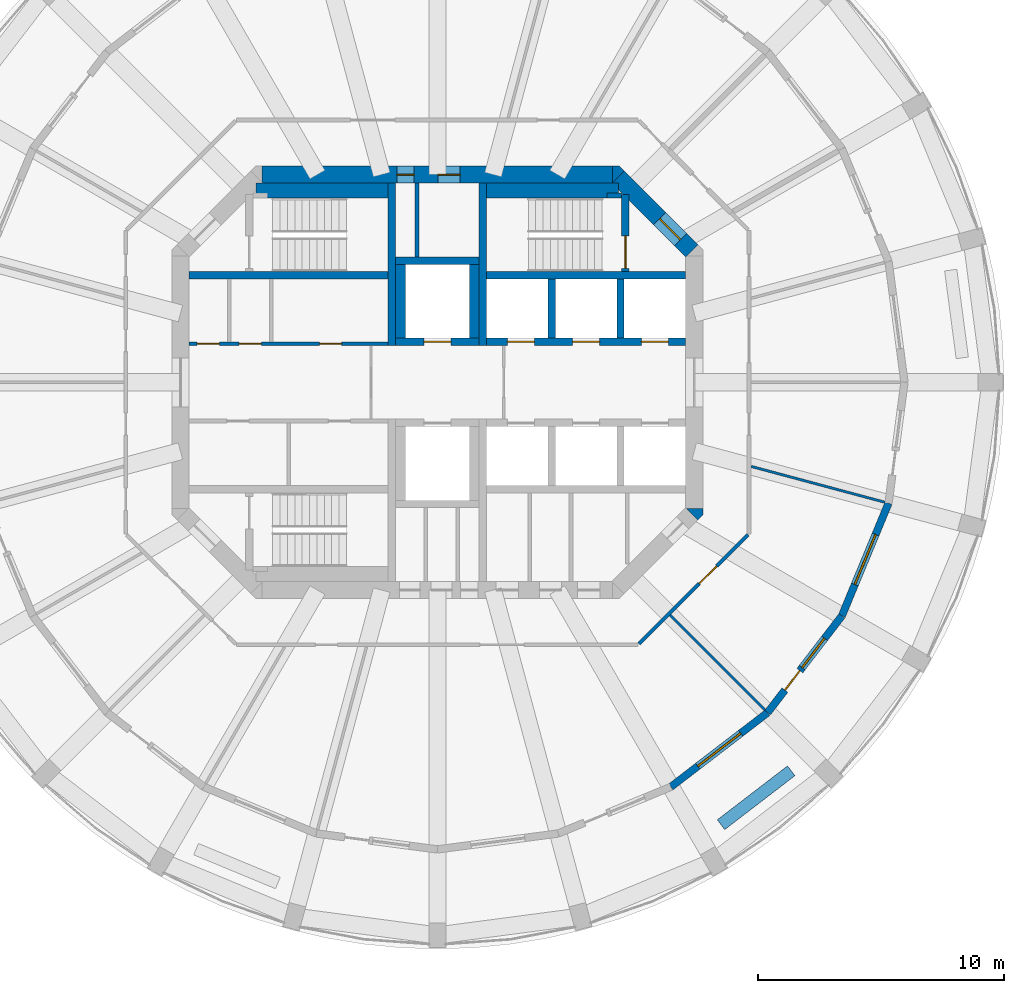
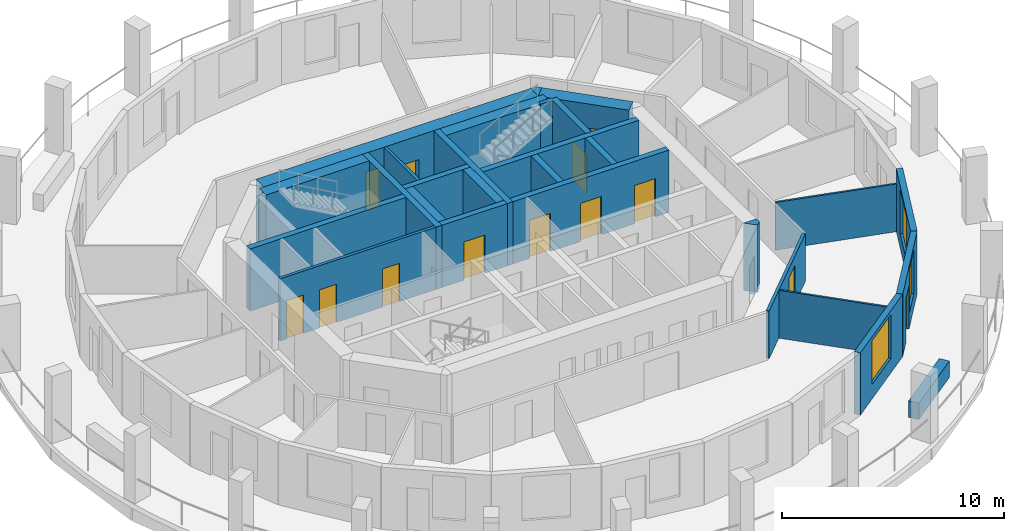
# One storey, part 5 of 9: 28 walls, 13 doors, 3 windows, 16 openings.
"""IFC4 building model written with IfcOpenShell, lengths in metres."""

from ifc_helpers import new_model, si_unit, direction, frame, frame_2d, origin, place, context, subcontext, project, spatial, polyline, rectangle, outline, extrude, material, layer, layer_set, type_object, element, fill, save


model = new_model("IFC4")

# Units and contexts
model_context = context("Model", 3, precision=1e-05, world=origin(), true_north=direction((0.0, 1.0)))
body_context = subcontext(model_context, "Body", "Model", "MODEL_VIEW")
ifc_project = project(units=[si_unit("LENGTHUNIT", "METRE"), si_unit("AREAUNIT", "SQUARE_METRE"), si_unit("VOLUMEUNIT", "CUBIC_METRE"), si_unit("PLANEANGLEUNIT", "RADIAN"), si_unit("MASSUNIT", "GRAM", prefix="KILO")], contexts=[model_context])

# Site, building, storey
site_placement = place(None, origin())
site = spatial("IfcSite", under=ifc_project, at=site_placement, CompositionType="ELEMENT")
building_placement = place(site_placement, origin())
building = spatial("IfcBuilding", under=site, at=building_placement, Name="Torre Triforio", CompositionType="ELEMENT")
storey_placement = place(building_placement, frame((0.0, 0.0, 169.0)))
storey = spatial("IfcBuildingStorey", under=building, at=storey_placement, Name="L38", CompositionType="ELEMENT", Elevation=169.0)

# Walls
ifc_material_1 = material(Name="Concrete C50", Category="concrete")
ifc_layer_1 = layer(ifc_material_1, 0.300048828125)
ifc_layer_set_1 = layer_set([ifc_layer_1], Name="Concrete C50")
wall_type_1 = type_object("IfcWallType", Name="Core wall 300 mm C50 EI 120", PredefinedType="SHEAR", material=ifc_layer_set_1)
for number, where, z_axis, x_axis, name in (
    (1, (-1.85009765625, 1.5, 0.0), (0.0, 0.0, 1.0), (0.0, 1.0, 0.0), "Core wall"),
    (2, (1.85009765625, 1.5, 0.0), (0.0, 0.0, 1.0), (0.0, 1.0, 0.0), "Core wall"),
):
    element("IfcWall", number, at=place(storey_placement, frame(where, z_axis=z_axis, x_axis=x_axis)), inside=storey, type_object=wall_type_1, Name=name, PredefinedType="SHEAR", context=body_context, shape_type="SweptSolid", body=[
        extrude(rectangle(XDim=6.60009765625, YDim=0.300048828125, at=frame_2d((3.300048828125, 0.0))), origin(), (0.0, 0.0, 1.0), 3.419921875),
    ])

# Wall, openings, doors
ifc_layer_2 = layer(ifc_material_1, 0.699951171875)
ifc_layer_set_2 = layer_set([ifc_layer_2], Name="Concrete C50")
wall_type_2 = type_object("IfcWallType", Name="Core wall 700 mm C50 EI 120", PredefinedType="SHEAR", material=ifc_layer_set_2)
wall_1_placement = place(storey_placement, frame((-7.1298828125, 8.449951171875, -0.280029296875), z_axis=(0.0, 0.0, 1.0), x_axis=(1.0, 0.0, 0.0)))
wall_1 = element("IfcWall", 3, at=wall_1_placement, inside=storey, type_object=wall_type_2, Name="Core wall", PredefinedType="SHEAR", context=body_context, shape_type="SweptSolid", body=[
    extrude(rectangle(XDim=14.259765625, YDim=0.699951171875, at=frame_2d((7.1298828125, 0.0))), origin(), (0.0, 0.0, 1.0), 3.699951171875),
])
opening_1_placement = place(wall_1_placement, frame((5.47998046875, 0.0, 0.280029296875)))
opening_1 = element("IfcOpeningElement", 4, at=opening_1_placement, cuts=wall_1, Name="Opening RISER-N", PredefinedType="OPENING", context=body_context, shape_type="SweptSolid", body=[
    extrude(rectangle(XDim=0.699951171875, YDim=2.10009765625, at=frame_2d((0.35009765625, 1.050048828125))), frame((0.0, 0.35986328125, 0.0), z_axis=(0.0, -1.0, 0.0), x_axis=(1.0, 0.0, 0.0)), (0.0, 0.0, 1.0), 0.719970703125),
])
opening_2_placement = place(wall_1_placement, frame((7.155029296875, 0.0, 0.280029296875)))
opening_2 = element("IfcOpeningElement", 5, at=opening_2_placement, cuts=wall_1, Name="Opening NE-01", PredefinedType="OPENING", context=body_context, shape_type="SweptSolid", body=[
    extrude(rectangle(XDim=0.89990234375, YDim=2.10009765625, at=frame_2d((0.449951171875, 1.050048828125))), frame((0.0, 0.35986328125, 0.0), z_axis=(0.0, -1.0, 0.0), x_axis=(1.0, 0.0, 0.0)), (0.0, 0.0, 1.0), 0.719970703125),
])
ifc_material_2 = material(Name="Hollow metal fire door leaf")
door_type_1 = type_object("IfcDoorType", Name="Riser door 700 x 2100 EI 60", OperationType="NOTDEFINED", PredefinedType="DOOR", material=ifc_material_2)
door_1_placement = place(opening_1_placement, origin())
door_1 = element("IfcDoor", 6, at=door_1_placement, inside=storey, type_object=door_type_1, Name="Core door RISER-N", OperationType="SINGLE_SWING_LEFT", OverallHeight=2.10009765625, OverallWidth=0.699951171875, PredefinedType="DOOR", context=body_context, shape_type="SweptSolid", body=[
    extrude(rectangle(XDim=0.699951171875, YDim=2.10009765625, at=frame_2d((0.35009765625, 1.050048828125))), frame((0.0, 0.02490234375, 0.0), z_axis=(0.0, -1.0, 0.0), x_axis=(1.0, 0.0, 0.0)), (0.0, 0.0, 1.0), 0.050048828125),
])
fill(opening_1, door_1)
door_type_2 = type_object("IfcDoorType", Name="Room door 900 x 2100 EI 60", OperationType="NOTDEFINED", PredefinedType="DOOR", material=ifc_material_2)
door_2_placement = place(opening_2_placement, origin())
door_2 = element("IfcDoor", 7, at=door_2_placement, inside=storey, type_object=door_type_2, Name="Core door NE-01", OperationType="SINGLE_SWING_RIGHT", OverallHeight=2.10009765625, OverallWidth=0.89990234375, PredefinedType="DOOR", context=body_context, shape_type="SweptSolid", body=[
    extrude(rectangle(XDim=0.89990234375, YDim=2.10009765625, at=frame_2d((0.449951171875, 1.050048828125))), frame((0.0, 0.02490234375, 0.0), z_axis=(0.0, -1.0, 0.0), x_axis=(1.0, 0.0, 0.0)), (0.0, 0.0, 1.0), 0.050048828125),
])
fill(opening_2, door_2)

# Wall, opening, door
wall_2_placement = place(storey_placement, frame((7.347412109375, 8.347412109375, -0.280029296875), z_axis=(0.0, 0.0, 1.0), x_axis=(0.707106781187, -0.707106781187, 0.0)))
wall_2 = element("IfcWall", 8, at=wall_2_placement, inside=storey, type_object=wall_type_2, Name="Core wall", PredefinedType="SHEAR", context=body_context, shape_type="SweptSolid", body=[
    extrude(rectangle(XDim=4.24267578125, YDim=0.699951171875, at=frame_2d((2.121337890625, 0.0))), origin(), (0.0, 0.0, 1.0), 3.699951171875),
])
opening_3_placement = place(wall_2_placement, frame((2.392578125, 0.0, 0.280029296875)))
opening_3 = element("IfcOpeningElement", 9, at=opening_3_placement, cuts=wall_2, Name="Opening ST2-EXIT", PredefinedType="OPENING", context=body_context, shape_type="SweptSolid", body=[
    extrude(rectangle(XDim=1.199951171875, YDim=2.10009765625, at=frame_2d((0.60009765625, 1.050048828125))), frame((0.0, 0.35986328125, 0.0), z_axis=(0.0, -1.0, 0.0), x_axis=(1.0, 0.0, 0.0)), (0.0, 0.0, 1.0), 0.719970703125),
])
door_type_3 = type_object("IfcDoorType", Name="Stair lobby door 1200 x 2100 EI 60", OperationType="NOTDEFINED", PredefinedType="DOOR", material=ifc_material_2)
door_3_placement = place(opening_3_placement, origin())
door_3 = element("IfcDoor", 10, at=door_3_placement, inside=storey, type_object=door_type_3, Name="Core door ST2-EXIT", OperationType="SINGLE_SWING_RIGHT", OverallHeight=2.10009765625, OverallWidth=1.199951171875, PredefinedType="DOOR", context=body_context, shape_type="SweptSolid", body=[
    extrude(rectangle(XDim=1.199951171875, YDim=2.10009765625, at=frame_2d((0.60009765625, 1.050048828125))), frame((0.0, 0.02490234375, 0.0), z_axis=(0.0, -1.0, 0.0), x_axis=(1.0, 0.0, 0.0)), (0.0, 0.0, 1.0), 0.050048828125),
])
fill(opening_3, door_3)

# Walls
wall_3_placement = place(storey_placement, frame((0.0, 0.0, -0.280029296875)))
element("IfcWall", 11, at=wall_3_placement, inside=storey, type_object=wall_type_2, Name="Core wall", PredefinedType="SHEAR", context=body_context, shape_type="SweptSolid", body=[
    extrude(outline(polyline([(10.800048828125, -5.389892578125), (10.594970703125, -5.594970703125), (10.594970703125, -5.594970703125), (10.594970703125, -5.594970703125), (10.1298828125, -5.1298828125), (10.800048828125, -5.1298828125), (10.800048828125, -5.1298828125), (10.800048828125, -5.389892578125)])), origin(), (0.0, 0.0, 1.0), 3.699951171875),
])
wall_4_placement = place(storey_placement, frame((0.0, 0.0, -0.280029296875)))
element("IfcWall", 12, at=wall_4_placement, inside=storey, type_object=wall_type_2, Name="Core wall", PredefinedType="SHEAR", context=body_context, shape_type="SweptSolid", body=[
    extrude(outline(polyline([(7.389892578125, 8.800048828125), (7.594970703125, 8.594970703125), (7.594970703125, 8.594970703125), (7.594970703125, 8.594970703125), (7.1298828125, 8.1298828125), (7.1298828125, 8.800048828125), (7.1298828125, 8.800048828125), (7.389892578125, 8.800048828125)])), origin(), (0.0, 0.0, 1.0), 3.699951171875),
])

# Wall, opening, door
ifc_material_3 = material(Name="Plasterboard on metal studs")
ifc_layer_3 = layer(ifc_material_3, 0.14990234375)
ifc_layer_set_3 = layer_set([ifc_layer_3], Name="Plasterboard on metal studs")
wall_type_3 = type_object("IfcWallType", Name="Corridor and tenancy wall 150 mm EI 60", PredefinedType="PARTITIONING", material=ifc_layer_set_3)
wall_5_placement = place(storey_placement, frame((12.637939453125, -6.20361328125, 0.0), z_axis=(0.0, 0.0, 1.0), x_axis=(-0.707106781187, -0.707106781187, 0.0)))
wall_5 = element("IfcWall", 13, at=wall_5_placement, inside=storey, type_object=wall_type_3, Name="Partition 1", PredefinedType="PARTITIONING", context=body_context, shape_type="SweptSolid", body=[
    extrude(rectangle(XDim=6.27099609375, YDim=0.14990234375, at=frame_2d((3.135498046875, 0.0))), origin(), (0.0, 0.0, 1.0), 2.6201171875),
])
opening_4_placement = place(wall_5_placement, frame((1.7998046875, 0.0, 0.0)))
opening_4 = element("IfcOpeningElement", 14, at=opening_4_placement, cuts=wall_5, Name="Opening O2-10", PredefinedType="OPENING", context=body_context, shape_type="SweptSolid", body=[
    extrude(rectangle(XDim=1.0, YDim=2.10009765625, at=frame_2d((0.5, 1.050048828125))), frame((0.0, 0.0849609375, 0.0), z_axis=(0.0, -1.0, 0.0), x_axis=(1.0, 0.0, 0.0)), (0.0, 0.0, 1.0), 0.169921875),
])
ifc_material_4 = material(Name="Timber", Category="wood")
door_type_4 = type_object("IfcDoorType", Name="Door 1000 x 2100 single leaf EI 30", OperationType="NOTDEFINED", PredefinedType="DOOR", material=ifc_material_4)
door_4_placement = place(opening_4_placement, origin())
door_4 = element("IfcDoor", 15, at=door_4_placement, inside=storey, type_object=door_type_4, Name="Door O2-10", OperationType="SINGLE_SWING_RIGHT", OverallHeight=2.10009765625, OverallWidth=1.0, PredefinedType="DOOR", context=body_context, shape_type="SweptSolid", body=[
    extrude(rectangle(XDim=1.0, YDim=2.10009765625, at=frame_2d((0.5, 1.050048828125))), frame((0.0, 0.02490234375, 0.0), z_axis=(0.0, -1.0, 0.0), x_axis=(1.0, 0.0, 0.0)), (0.0, 0.0, 1.0), 0.050048828125),
])
fill(opening_4, door_4)

# Walls
ifc_layer_4 = layer(ifc_material_3, 0.10009765625)
ifc_layer_set_4 = layer_set([ifc_layer_4], Name="Plasterboard on metal studs")
wall_type_4 = type_object("IfcWallType", Name="Partition 100 mm board on metal studs", PredefinedType="PARTITIONING", material=ifc_layer_set_4)
wall_6_placement = place(storey_placement, frame((9.473876953125, -9.473876953125, 0.0), z_axis=(0.0, 0.0, 1.0), x_axis=(0.707106781187, -0.707106781187, 0.0)))
element("IfcWall", 16, at=wall_6_placement, inside=storey, type_object=wall_type_4, Name="Partition 25", PredefinedType="PARTITIONING", context=body_context, shape_type="SweptSolid", body=[
    extrude(rectangle(XDim=5.438720703125, YDim=0.10009765625, at=frame_2d((2.71923828125, 0.0))), origin(), (0.0, 0.0, 1.0), 2.6201171875),
])
wall_7_placement = place(storey_placement, frame((12.764404296875, -3.420166015625, 0.0), z_axis=(0.0, 0.0, 1.0), x_axis=(0.965925759926, -0.258819292773, 0.0)))
element("IfcWall", 17, at=wall_7_placement, inside=storey, type_object=wall_type_4, Name="Partition 26", PredefinedType="PARTITIONING", context=body_context, shape_type="SweptSolid", body=[
    extrude(rectangle(XDim=5.6220703125, YDim=0.10009765625, at=frame_2d((2.81103515625, 0.0))), origin(), (0.0, 0.0, 1.0), 2.6201171875),
])
ifc_material_5 = material(Name="Block and board partition")
ifc_layer_5 = layer(ifc_material_5, 0.14990234375)
ifc_layer_set_5 = layer_set([ifc_layer_5], Name="Block and board partition")
wall_type_5 = type_object("IfcWallType", Name="Partition 150 mm EI 120", PredefinedType="PARTITIONING", material=ifc_layer_set_5)
wall_8_placement = place(storey_placement, frame((-0.824951171875, 5.10009765625, 0.0), z_axis=(0.0, 0.0, 1.0), x_axis=(0.0, 1.0, 0.0)))
element("IfcWall", 18, at=wall_8_placement, inside=storey, type_object=wall_type_5, Name="Partition", PredefinedType="PARTITIONING", context=body_context, shape_type="SweptSolid", body=[
    extrude(rectangle(XDim=3.0, YDim=0.14990234375, at=frame_2d((1.5, 0.0))), origin(), (0.0, 0.0, 1.0), 3.419921875),
])

# Wall, openings, doors
wall_9_placement = place(storey_placement, frame((-10.10009765625, 1.574951171875, 0.0), z_axis=(0.0, 0.0, 1.0), x_axis=(1.0, 0.0, 0.0)))
wall_9 = element("IfcWall", 19, at=wall_9_placement, inside=storey, type_object=wall_type_5, Name="Partition", PredefinedType="PARTITIONING", context=body_context, shape_type="SweptSolid", body=[
    extrude(rectangle(XDim=8.10009765625, YDim=0.14990234375, at=frame_2d((4.050048828125, 0.0))), origin(), (0.0, 0.0, 1.0), 3.419921875),
])
opening_5_placement = place(wall_9_placement, frame((0.330078125, 0.0, 0.0)))
opening_5 = element("IfcOpeningElement", 20, at=opening_5_placement, cuts=wall_9, Name="Opening FN-01", PredefinedType="OPENING", context=body_context, shape_type="SweptSolid", body=[
    extrude(rectangle(XDim=0.89990234375, YDim=2.10009765625, at=frame_2d((0.449951171875, 1.050048828125))), frame((0.0, 0.0849609375, 0.0), z_axis=(0.0, -1.0, 0.0), x_axis=(1.0, 0.0, 0.0)), (0.0, 0.0, 1.0), 0.169921875),
])
opening_6_placement = place(wall_9_placement, frame((2.0400390625, 0.0, 0.0)))
opening_6 = element("IfcOpeningElement", 21, at=opening_6_placement, cuts=wall_9, Name="Opening FN-02", PredefinedType="OPENING", context=body_context, shape_type="SweptSolid", body=[
    extrude(rectangle(XDim=0.89990234375, YDim=2.10009765625, at=frame_2d((0.449951171875, 1.050048828125))), frame((0.0, 0.0849609375, 0.0), z_axis=(0.0, -1.0, 0.0), x_axis=(1.0, 0.0, 0.0)), (0.0, 0.0, 1.0), 0.169921875),
])
opening_7_placement = place(wall_9_placement, frame((5.31005859375, 0.0, 0.0)))
opening_7 = element("IfcOpeningElement", 22, at=opening_7_placement, cuts=wall_9, Name="Opening FN-03", PredefinedType="OPENING", context=body_context, shape_type="SweptSolid", body=[
    extrude(rectangle(XDim=0.89990234375, YDim=2.10009765625, at=frame_2d((0.449951171875, 1.050048828125))), frame((0.0, 0.0849609375, 0.0), z_axis=(0.0, -1.0, 0.0), x_axis=(1.0, 0.0, 0.0)), (0.0, 0.0, 1.0), 0.169921875),
])
door_5_placement = place(opening_5_placement, origin())
door_5 = element("IfcDoor", 23, at=door_5_placement, inside=storey, type_object=door_type_2, Name="Core door FN-01", OperationType="SINGLE_SWING_RIGHT", OverallHeight=2.10009765625, OverallWidth=0.89990234375, PredefinedType="DOOR", context=body_context, shape_type="SweptSolid", body=[
    extrude(rectangle(XDim=0.89990234375, YDim=2.10009765625, at=frame_2d((0.449951171875, 1.050048828125))), frame((0.0, 0.02490234375, 0.0), z_axis=(0.0, -1.0, 0.0), x_axis=(1.0, 0.0, 0.0)), (0.0, 0.0, 1.0), 0.050048828125),
])
fill(opening_5, door_5)
door_6_placement = place(opening_6_placement, origin())
door_6 = element("IfcDoor", 24, at=door_6_placement, inside=storey, type_object=door_type_2, Name="Core door FN-02", OperationType="SINGLE_SWING_RIGHT", OverallHeight=2.10009765625, OverallWidth=0.89990234375, PredefinedType="DOOR", context=body_context, shape_type="SweptSolid", body=[
    extrude(rectangle(XDim=0.89990234375, YDim=2.10009765625, at=frame_2d((0.449951171875, 1.050048828125))), frame((0.0, 0.02490234375, 0.0), z_axis=(0.0, -1.0, 0.0), x_axis=(1.0, 0.0, 0.0)), (0.0, 0.0, 1.0), 0.050048828125),
])
fill(opening_6, door_6)
door_7_placement = place(opening_7_placement, origin())
door_7 = element("IfcDoor", 25, at=door_7_placement, inside=storey, type_object=door_type_2, Name="Core door FN-03", OperationType="SINGLE_SWING_RIGHT", OverallHeight=2.10009765625, OverallWidth=0.89990234375, PredefinedType="DOOR", context=body_context, shape_type="SweptSolid", body=[
    extrude(rectangle(XDim=0.89990234375, YDim=2.10009765625, at=frame_2d((0.449951171875, 1.050048828125))), frame((0.0, 0.02490234375, 0.0), z_axis=(0.0, -1.0, 0.0), x_axis=(1.0, 0.0, 0.0)), (0.0, 0.0, 1.0), 0.050048828125),
])
fill(opening_7, door_7)

# Walls
ifc_material_6 = material(Name="Limestone cladding", Category="masonry")
ifc_layer_6 = layer(ifc_material_6, 0.10009765625)
ifc_material_7 = material(Name="Concrete C40", Category="concrete")
ifc_layer_7 = layer(ifc_material_7, 0.39990234375)
ifc_layer_set_6 = layer_set([ifc_layer_6, ifc_layer_7], Name="Limestone cladding / Concrete C40")
wall_type_6 = type_object("IfcWallType", Name="Planter wall 500", PredefinedType="PARAPET", material=ifc_layer_set_6)
wall_10_placement = place(storey_placement, frame((11.53857421875, -17.994140625, 0.0), z_axis=(0.0, 0.0, 1.0), x_axis=(0.793384730612, 0.608720518162, 0.0)))
element("IfcWall", 26, at=wall_10_placement, inside=storey, type_object=wall_type_6, Name="Planter L38 bay 21", PredefinedType="PARAPET", context=body_context, shape_type="SweptSolid", body=[
    extrude(rectangle(XDim=3.60009765625, YDim=0.5, at=frame_2d((1.800048828125, 0.0))), origin(), (0.0, 0.0, 1.0), 0.89990234375),
])
ifc_layer_8 = layer(ifc_material_1, 0.300048828125)
ifc_layer_set_7 = layer_set([ifc_layer_8], Name="Concrete C50")
wall_type_7 = type_object("IfcWallType", Name="Shaft wall 300 mm C50 EI 120", PredefinedType="SOLIDWALL", material=ifc_layer_set_7)
for number, where, z_axis, x_axis, name in (
    (27, (-10.10009765625, 4.35009765625, 0.0), (0.0, 0.0, 1.0), (1.0, 0.0, 0.0), "Shaft wall"),
    (28, (2.0, 4.35009765625, 0.0), (0.0, 0.0, 1.0), (1.0, 0.0, 0.0), "Shaft wall"),
):
    element("IfcWall", number, at=place(storey_placement, frame(where, z_axis=z_axis, x_axis=x_axis)), inside=storey, type_object=wall_type_7, Name=name, PredefinedType="SOLIDWALL", context=body_context, shape_type="SweptSolid", body=[
        extrude(rectangle(XDim=8.10009765625, YDim=0.300048828125, at=frame_2d((4.050048828125, 0.0))), origin(), (0.0, 0.0, 1.0), 3.419921875),
    ])

# Wall, openings, doors
wall_11_placement = place(storey_placement, frame((2.0, 1.64990234375, 0.0), z_axis=(0.0, 0.0, 1.0), x_axis=(1.0, 0.0, 0.0)))
wall_11 = element("IfcWall", 29, at=wall_11_placement, inside=storey, type_object=wall_type_7, Name="Shaft wall", PredefinedType="SOLIDWALL", context=body_context, shape_type="SweptSolid", body=[
    extrude(rectangle(XDim=8.10009765625, YDim=0.300048828125, at=frame_2d((4.050048828125, 0.0))), origin(), (0.0, 0.0, 1.0), 3.419921875),
])
opening_8_placement = place(wall_11_placement, frame((0.85009765625, 0.0, 0.0)))
opening_8 = element("IfcOpeningElement", 30, at=opening_8_placement, cuts=wall_11, Name="Opening LD", PredefinedType="OPENING", context=body_context, shape_type="SweptSolid", body=[
    extrude(rectangle(XDim=1.10009765625, YDim=2.10009765625, at=frame_2d((0.550048828125, 1.050048828125))), frame((0.0, 0.159912109375, 0.0), z_axis=(0.0, -1.0, 0.0), x_axis=(1.0, 0.0, 0.0)), (0.0, 0.0, 1.0), 0.320068359375),
])
opening_9_placement = place(wall_11_placement, frame((3.5, 0.0, 0.0)))
opening_9 = element("IfcOpeningElement", 31, at=opening_9_placement, cuts=wall_11, Name="Opening LD", PredefinedType="OPENING", context=body_context, shape_type="SweptSolid", body=[
    extrude(rectangle(XDim=1.10009765625, YDim=2.10009765625, at=frame_2d((0.550048828125, 1.050048828125))), frame((0.0, 0.159912109375, 0.0), z_axis=(0.0, -1.0, 0.0), x_axis=(1.0, 0.0, 0.0)), (0.0, 0.0, 1.0), 0.320068359375),
])
opening_10_placement = place(wall_11_placement, frame((6.300048828125, 0.0, 0.0)))
opening_10 = element("IfcOpeningElement", 32, at=opening_10_placement, cuts=wall_11, Name="Opening LD", PredefinedType="OPENING", context=body_context, shape_type="SweptSolid", body=[
    extrude(rectangle(XDim=1.10009765625, YDim=2.10009765625, at=frame_2d((0.550048828125, 1.050048828125))), frame((0.0, 0.159912109375, 0.0), z_axis=(0.0, -1.0, 0.0), x_axis=(1.0, 0.0, 0.0)), (0.0, 0.0, 1.0), 0.320068359375),
])
door_type_5 = type_object("IfcDoorType", Name="Landing door 1100 x 2100 EI 60", OperationType="DOUBLE_DOOR_SLIDING", PredefinedType="DOOR", material=ifc_material_2)
door_8_placement = place(opening_8_placement, origin())
door_8 = element("IfcDoor", 33, at=door_8_placement, inside=storey, type_object=door_type_5, Name="Landing door HR1", OperationType="DOUBLE_DOOR_SLIDING", OverallHeight=2.10009765625, OverallWidth=1.10009765625, PredefinedType="DOOR", context=body_context, shape_type="SweptSolid", body=[
    extrude(rectangle(XDim=1.10009765625, YDim=2.10009765625, at=frame_2d((0.550048828125, 1.050048828125))), frame((0.0, 0.02490234375, 0.0), z_axis=(0.0, -1.0, 0.0), x_axis=(1.0, 0.0, 0.0)), (0.0, 0.0, 1.0), 0.050048828125),
])
fill(opening_8, door_8)
door_9_placement = place(opening_9_placement, origin())
door_9 = element("IfcDoor", 34, at=door_9_placement, inside=storey, type_object=door_type_5, Name="Landing door HR2", OperationType="DOUBLE_DOOR_SLIDING", OverallHeight=2.10009765625, OverallWidth=1.10009765625, PredefinedType="DOOR", context=body_context, shape_type="SweptSolid", body=[
    extrude(rectangle(XDim=1.10009765625, YDim=2.10009765625, at=frame_2d((0.550048828125, 1.050048828125))), frame((0.0, 0.02490234375, 0.0), z_axis=(0.0, -1.0, 0.0), x_axis=(1.0, 0.0, 0.0)), (0.0, 0.0, 1.0), 0.050048828125),
])
fill(opening_9, door_9)
door_10_placement = place(opening_10_placement, origin())
door_10 = element("IfcDoor", 35, at=door_10_placement, inside=storey, type_object=door_type_5, Name="Landing door HR3", OperationType="DOUBLE_DOOR_SLIDING", OverallHeight=2.10009765625, OverallWidth=1.10009765625, PredefinedType="DOOR", context=body_context, shape_type="SweptSolid", body=[
    extrude(rectangle(XDim=1.10009765625, YDim=2.10009765625, at=frame_2d((0.550048828125, 1.050048828125))), frame((0.0, 0.02490234375, 0.0), z_axis=(0.0, -1.0, 0.0), x_axis=(1.0, 0.0, 0.0)), (0.0, 0.0, 1.0), 0.050048828125),
])
fill(opening_10, door_10)

# Walls
for number, where, z_axis, x_axis, name in (
    (36, (4.64990234375, 1.800048828125, 0.0), (0.0, 0.0, 1.0), (0.0, 1.0, 0.0), "Shaft wall"),
    (37, (7.449951171875, 1.800048828125, 0.0), (0.0, 0.0, 1.0), (0.0, 1.0, 0.0), "Shaft wall"),
):
    element("IfcWall", number, at=place(storey_placement, frame(where, z_axis=z_axis, x_axis=x_axis)), inside=storey, type_object=wall_type_7, Name=name, PredefinedType="SOLIDWALL", context=body_context, shape_type="SweptSolid", body=[
        extrude(rectangle(XDim=2.39990234375, YDim=0.300048828125, at=frame_2d((1.199951171875, 0.0))), origin(), (0.0, 0.0, 1.0), 3.419921875),
    ])

# Wall, opening, door
wall_12_placement = place(storey_placement, frame((-1.699951171875, 1.64990234375, 0.0), z_axis=(0.0, 0.0, 1.0), x_axis=(1.0, 0.0, 0.0)))
wall_12 = element("IfcWall", 38, at=wall_12_placement, inside=storey, type_object=wall_type_7, Name="Shaft wall", PredefinedType="SOLIDWALL", context=body_context, shape_type="SweptSolid", body=[
    extrude(rectangle(XDim=3.39990234375, YDim=0.300048828125, at=frame_2d((1.699951171875, 0.0))), origin(), (0.0, 0.0, 1.0), 3.419921875),
])
opening_11_placement = place(wall_12_placement, frame((1.14990234375, 0.0, 0.0)))
opening_11 = element("IfcOpeningElement", 39, at=opening_11_placement, cuts=wall_12, Name="Opening LD", PredefinedType="OPENING", context=body_context, shape_type="SweptSolid", body=[
    extrude(rectangle(XDim=1.10009765625, YDim=2.10009765625, at=frame_2d((0.550048828125, 1.050048828125))), frame((0.0, 0.159912109375, 0.0), z_axis=(0.0, -1.0, 0.0), x_axis=(1.0, 0.0, 0.0)), (0.0, 0.0, 1.0), 0.320068359375),
])
door_11_placement = place(opening_11_placement, origin())
door_11 = element("IfcDoor", 40, at=door_11_placement, inside=storey, type_object=door_type_5, Name="Landing door FFL1", OperationType="DOUBLE_DOOR_SLIDING", OverallHeight=2.10009765625, OverallWidth=1.10009765625, PredefinedType="DOOR", context=body_context, shape_type="SweptSolid", body=[
    extrude(rectangle(XDim=1.10009765625, YDim=2.10009765625, at=frame_2d((0.550048828125, 1.050048828125))), frame((0.0, 0.02490234375, 0.0), z_axis=(0.0, -1.0, 0.0), x_axis=(1.0, 0.0, 0.0)), (0.0, 0.0, 1.0), 0.050048828125),
])
fill(opening_11, door_11)

# Walls
wall_13_placement = place(storey_placement, frame((-1.699951171875, 4.949951171875, 0.0), z_axis=(0.0, 0.0, 1.0), x_axis=(1.0, 0.0, 0.0)))
element("IfcWall", 41, at=wall_13_placement, inside=storey, type_object=wall_type_7, Name="Shaft wall", PredefinedType="SOLIDWALL", context=body_context, shape_type="SweptSolid", body=[
    extrude(rectangle(XDim=3.39990234375, YDim=0.300048828125, at=frame_2d((1.699951171875, 0.0))), origin(), (0.0, 0.0, 1.0), 3.419921875),
])
ifc_layer_9 = layer(ifc_material_1, 0.39990234375)
ifc_layer_set_8 = layer_set([ifc_layer_9], Name="Concrete C50")
wall_type_8 = type_object("IfcWallType", Name="Shaft wall 400 mm C50 EI 120", PredefinedType="SOLIDWALL", material=ifc_layer_set_8)
for number, where, z_axis, x_axis, name in (
    (42, (-1.5, 1.800048828125, 0.0), (0.0, 0.0, 1.0), (0.0, 1.0, 0.0), "Shaft wall"),
    (43, (1.5, 1.800048828125, 0.0), (0.0, 0.0, 1.0), (0.0, 1.0, 0.0), "Shaft wall"),
):
    element("IfcWall", number, at=place(storey_placement, frame(where, z_axis=z_axis, x_axis=x_axis)), inside=storey, type_object=wall_type_8, Name=name, PredefinedType="SOLIDWALL", context=body_context, shape_type="SweptSolid", body=[
        extrude(rectangle(XDim=3.0, YDim=0.39990234375, at=frame_2d((1.5, 0.0))), origin(), (0.0, 0.0, 1.0), 3.419921875),
    ])
ifc_layer_10 = layer(ifc_material_1, 0.199951171875)
ifc_layer_set_9 = layer_set([ifc_layer_10], Name="Concrete C50")
wall_type_9 = type_object("IfcWallType", Name="Stair wall 200 mm C50 EI 120", PredefinedType="SHEAR", material=ifc_layer_set_9)
wall_14_placement = place(storey_placement, frame((6.89990234375, 7.60009765625, 0.0), z_axis=(0.0, 0.0, 1.0), x_axis=(1.0, 0.0, 0.0)))
element("IfcWall", 44, at=wall_14_placement, inside=storey, type_object=wall_type_9, Name="Stair wall", PredefinedType="SHEAR", context=body_context, shape_type="SweptSolid", body=[
    extrude(rectangle(XDim=0.60009765625, YDim=0.199951171875, at=frame_2d((0.300048828125, 0.0))), origin(), (0.0, 0.0, 1.0), 3.419921875),
])

# Wall, opening, door
ifc_layer_11 = layer(ifc_material_1, 0.300048828125)
ifc_layer_set_10 = layer_set([ifc_layer_11], Name="Concrete C50")
wall_type_10 = type_object("IfcWallType", Name="Stair wall 300 mm C50 EI 120", PredefinedType="SHEAR", material=ifc_layer_set_10)
wall_15_placement = place(storey_placement, frame((7.64990234375, 4.5, 0.0), z_axis=(0.0, 0.0, 1.0), x_axis=(0.0, 1.0, 0.0)))
wall_15 = element("IfcWall", 45, at=wall_15_placement, inside=storey, type_object=wall_type_10, Name="Stair wall", PredefinedType="SHEAR", context=body_context, shape_type="SweptSolid", body=[
    extrude(rectangle(XDim=3.139892578125, YDim=0.300048828125, at=frame_2d((1.56982421875, 0.0))), origin(), (0.0, 0.0, 1.0), 3.419921875),
])
opening_12_placement = place(wall_15_placement, frame((0.139892578125, 0.0, 0.0)))
opening_12 = element("IfcOpeningElement", 46, at=opening_12_placement, cuts=wall_15, Name="Opening ST2-STA", PredefinedType="OPENING", context=body_context, shape_type="SweptSolid", body=[
    extrude(rectangle(XDim=1.320068359375, YDim=2.10009765625, at=frame_2d((0.66015625, 1.050048828125))), frame((0.0, 0.159912109375, 0.0), z_axis=(0.0, -1.0, 0.0), x_axis=(1.0, 0.0, 0.0)), (0.0, 0.0, 1.0), 0.320068359375),
])
door_type_6 = type_object("IfcDoorType", Name="Stair door 1320 x 2100 EI 90", OperationType="DOUBLE_DOOR_SINGLE_SWING", PredefinedType="DOOR", material=ifc_material_2)
door_12_placement = place(opening_12_placement, origin())
door_12 = element("IfcDoor", 47, at=door_12_placement, inside=storey, type_object=door_type_6, Name="Core door ST2-ST", OperationType="DOUBLE_DOOR_SINGLE_SWING", OverallHeight=2.10009765625, OverallWidth=1.320068359375, PredefinedType="DOOR", context=body_context, shape_type="SweptSolid", body=[
    extrude(rectangle(XDim=1.320068359375, YDim=2.10009765625, at=frame_2d((0.66015625, 1.050048828125))), frame((0.0, 0.02490234375, 0.0), z_axis=(0.0, -1.0, 0.0), x_axis=(1.0, 0.0, 0.0)), (0.0, 0.0, 1.0), 0.050048828125),
])
fill(opening_12, door_12)

# Walls
ifc_layer_12 = layer(ifc_material_1, 0.60009765625)
ifc_layer_set_11 = layer_set([ifc_layer_12], Name="Concrete C50")
wall_type_11 = type_object("IfcWallType", Name="Stair wall 600 mm C50 EI 120", PredefinedType="SHEAR", material=ifc_layer_set_11)
for number, where, z_axis, x_axis, name in (
    (48, (-7.3701171875, 7.800048828125, 0.0), (0.0, 0.0, 1.0), (1.0, 0.0, 0.0), "Stair wall"),
    (49, (2.0, 7.800048828125, 0.0), (0.0, 0.0, 1.0), (1.0, 0.0, 0.0), "Stair wall"),
):
    element("IfcWall", number, at=place(storey_placement, frame(where, z_axis=z_axis, x_axis=x_axis)), inside=storey, type_object=wall_type_11, Name=name, PredefinedType="SHEAR", context=body_context, shape_type="SweptSolid", body=[
        extrude(rectangle(XDim=5.3701171875, YDim=0.60009765625, at=frame_2d((2.68505859375, 0.0))), origin(), (0.0, 0.0, 1.0), 3.419921875),
    ])

# Wall, opening, window
ifc_layer_13 = layer(ifc_material_6, 0.10009765625)
ifc_layer_14 = layer(ifc_material_7, 0.199951171875)
ifc_layer_set_12 = layer_set([ifc_layer_13, ifc_layer_14], Name="Limestone cladding / Concrete C40")
wall_type_12 = type_object("IfcWallType", Name="Stone-faced composite wall 300", PredefinedType="STANDARD", material=ifc_layer_set_12)
wall_16_placement = place(storey_placement, frame((9.5, -16.45458984375, 0.0), z_axis=(0.0, 0.0, 1.0), x_axis=(0.793348024649, 0.608768356425, 0.0)))
wall_16 = element("IfcWall", 50, at=wall_16_placement, inside=storey, type_object=wall_type_12, Name="External wall L38 bay 21", PredefinedType="STANDARD", context=body_context, shape_type="SweptSolid", body=[
    extrude(rectangle(XDim=4.9599609375, YDim=0.300048828125, at=frame_2d((2.47998046875, 0.0))), origin(), (0.0, 0.0, 1.0), 3.419921875),
])
opening_13_placement = place(wall_16_placement, frame((1.3798828125, 0.0, 0.800048828125)))
opening_13 = element("IfcOpeningElement", 51, at=opening_13_placement, cuts=wall_16, Name="Opening O2-W21", PredefinedType="OPENING", context=body_context, shape_type="SweptSolid", body=[
    extrude(rectangle(XDim=2.199951171875, YDim=2.39990234375, at=frame_2d((1.10009765625, 1.199951171875))), frame((0.0, 0.159912109375, 0.0), z_axis=(0.0, -1.0, 0.0), x_axis=(1.0, 0.0, 0.0)), (0.0, 0.0, 1.0), 0.320068359375),
])
ifc_material_8 = material(Name="Aluminium frame with clear double glazing", Category="aluminium")
window_type_1 = type_object("IfcWindowType", Name="Punched window 2200 x 2400", PartitioningType="DOUBLE_PANEL_VERTICAL", PredefinedType="WINDOW", material=ifc_material_8)
window_1_placement = place(opening_13_placement, origin())
window_1 = element("IfcWindow", 52, at=window_1_placement, inside=storey, type_object=window_type_1, Name="Window EWN5 L38 bay 21", OverallHeight=2.39990234375, OverallWidth=2.199951171875, PartitioningType="SINGLE_PANEL", PredefinedType="WINDOW", context=body_context, shape_type="SweptSolid", body=[
    extrude(rectangle(XDim=2.199951171875, YDim=2.39990234375, at=frame_2d((1.10009765625, 1.199951171875))), frame((0.0, 0.030029296875, 0.0), z_axis=(0.0, -1.0, 0.0), x_axis=(1.0, 0.0, 0.0)), (0.0, 0.0, 1.0), 0.06005859375),
])
fill(opening_13, window_1)

# Wall, openings, door, window
wall_17_placement = place(storey_placement, frame((13.43505859375, -13.43505859375, 0.0), z_axis=(0.0, 0.0, 1.0), x_axis=(0.608768356425, 0.793348024649, 0.0)))
wall_17 = element("IfcWall", 53, at=wall_17_placement, inside=storey, type_object=wall_type_12, Name="External wall L38 bay 22", PredefinedType="STANDARD", context=body_context, shape_type="SweptSolid", body=[
    extrude(rectangle(XDim=4.9599609375, YDim=0.300048828125, at=frame_2d((2.47998046875, 0.0))), origin(), (0.0, 0.0, 1.0), 3.419921875),
])
opening_14_placement = place(wall_17_placement, frame((1.155029296875, 0.0, 0.0)))
opening_14 = element("IfcOpeningElement", 54, at=opening_14_placement, cuts=wall_17, Name="Opening O2-D22", PredefinedType="OPENING", context=body_context, shape_type="SweptSolid", body=[
    extrude(rectangle(XDim=1.0, YDim=2.39990234375, at=frame_2d((0.5, 1.199951171875))), frame((0.0, 0.159912109375, 0.0), z_axis=(0.0, -1.0, 0.0), x_axis=(1.0, 0.0, 0.0)), (0.0, 0.0, 1.0), 0.320068359375),
])
opening_15_placement = place(wall_17_placement, frame((2.304931640625, 0.0, 0.800048828125)))
opening_15 = element("IfcOpeningElement", 55, at=opening_15_placement, cuts=wall_17, Name="Opening O2-W22A", PredefinedType="OPENING", context=body_context, shape_type="SweptSolid", body=[
    extrude(rectangle(XDim=1.5, YDim=2.39990234375, at=frame_2d((0.75, 1.199951171875))), frame((0.0, 0.159912109375, 0.0), z_axis=(0.0, -1.0, 0.0), x_axis=(1.0, 0.0, 0.0)), (0.0, 0.0, 1.0), 0.320068359375),
])
door_type_7 = type_object("IfcDoorType", Name="Loggia door 1000 x 2400", OperationType="NOTDEFINED", PredefinedType="DOOR", material=ifc_material_8)
door_13_placement = place(opening_14_placement, origin())
door_13 = element("IfcDoor", 56, at=door_13_placement, inside=storey, type_object=door_type_7, Name="Loggia door L38 bay 22", OperationType="SINGLE_SWING_LEFT", OverallHeight=2.39990234375, OverallWidth=1.0, PredefinedType="DOOR", context=body_context, shape_type="SweptSolid", body=[
    extrude(rectangle(XDim=1.0, YDim=2.39990234375, at=frame_2d((0.5, 1.199951171875))), frame((0.0, 0.02490234375, 0.0), z_axis=(0.0, -1.0, 0.0), x_axis=(1.0, 0.0, 0.0)), (0.0, 0.0, 1.0), 0.050048828125),
])
fill(opening_14, door_13)
window_type_2 = type_object("IfcWindowType", Name="Side window 1500 x 2400", PartitioningType="SINGLE_PANEL", PredefinedType="WINDOW", material=ifc_material_8)
window_2_placement = place(opening_15_placement, origin())
window_2 = element("IfcWindow", 57, at=window_2_placement, inside=storey, type_object=window_type_2, Name="Side window EWN14 L38 bay 22", OverallHeight=2.39990234375, OverallWidth=1.5, PartitioningType="SINGLE_PANEL", PredefinedType="WINDOW", context=body_context, shape_type="SweptSolid", body=[
    extrude(rectangle(XDim=1.5, YDim=2.39990234375, at=frame_2d((0.75, 1.199951171875))), frame((0.0, 0.030029296875, 0.0), z_axis=(0.0, -1.0, 0.0), x_axis=(1.0, 0.0, 0.0)), (0.0, 0.0, 1.0), 0.06005859375),
])
fill(opening_15, window_2)

# Wall, opening, window
wall_18_placement = place(storey_placement, frame((16.45458984375, -9.5, 0.0), z_axis=(0.0, 0.0, 1.0), x_axis=(0.382650301762, 0.923893254961, 0.0)))
wall_18 = element("IfcWall", 58, at=wall_18_placement, inside=storey, type_object=wall_type_12, Name="External wall L38 bay 23", PredefinedType="STANDARD", context=body_context, shape_type="SweptSolid", body=[
    extrude(rectangle(XDim=4.9599609375, YDim=0.300048828125, at=frame_2d((2.47998046875, 0.0))), origin(), (0.0, 0.0, 1.0), 3.419921875),
])
opening_16_placement = place(wall_18_placement, frame((1.3798828125, 0.0, 0.800048828125)))
opening_16 = element("IfcOpeningElement", 59, at=opening_16_placement, cuts=wall_18, Name="Opening O2-W23", PredefinedType="OPENING", context=body_context, shape_type="SweptSolid", body=[
    extrude(rectangle(XDim=2.199951171875, YDim=2.39990234375, at=frame_2d((1.10009765625, 1.199951171875))), frame((0.0, 0.159912109375, 0.0), z_axis=(0.0, -1.0, 0.0), x_axis=(1.0, 0.0, 0.0)), (0.0, 0.0, 1.0), 0.320068359375),
])
window_3_placement = place(opening_16_placement, origin())
window_3 = element("IfcWindow", 60, at=window_3_placement, inside=storey, type_object=window_type_1, Name="Window EWN5 L38 bay 23", OverallHeight=2.39990234375, OverallWidth=2.199951171875, PartitioningType="SINGLE_PANEL", PredefinedType="WINDOW", context=body_context, shape_type="SweptSolid", body=[
    extrude(rectangle(XDim=2.199951171875, YDim=2.39990234375, at=frame_2d((1.10009765625, 1.199951171875))), frame((0.0, 0.030029296875, 0.0), z_axis=(0.0, -1.0, 0.0), x_axis=(1.0, 0.0, 0.0)), (0.0, 0.0, 1.0), 0.06005859375),
])
fill(opening_16, window_3)

save(model, "model.ifc")
